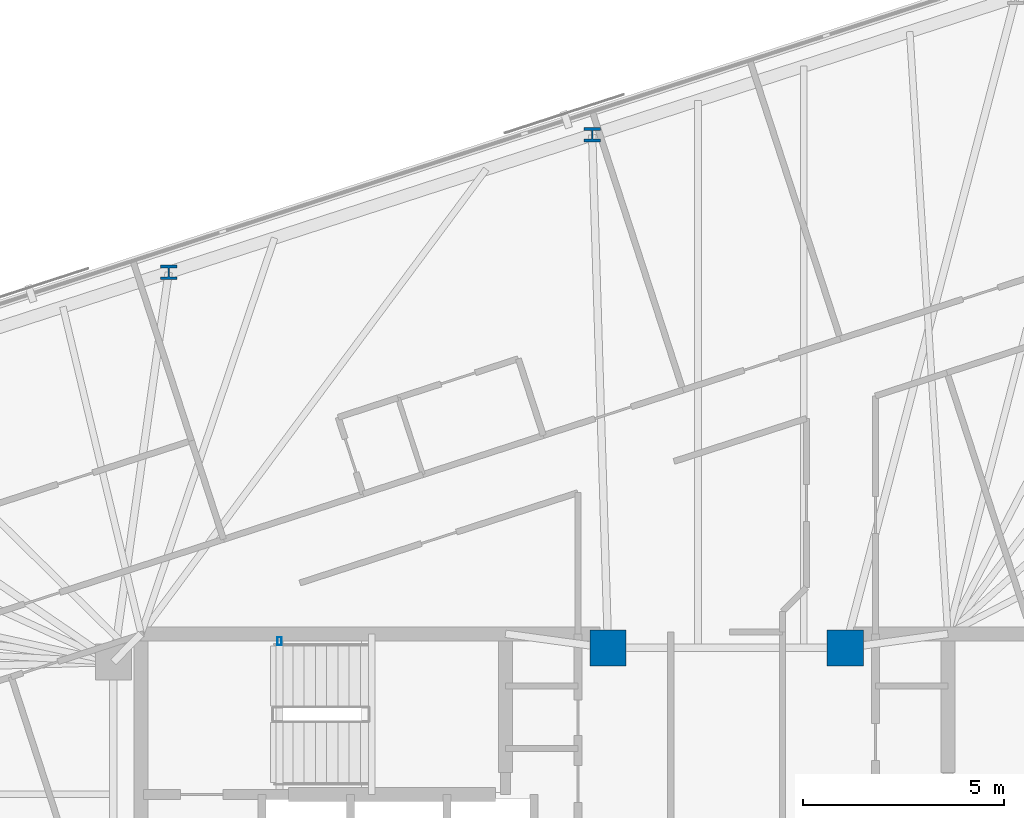
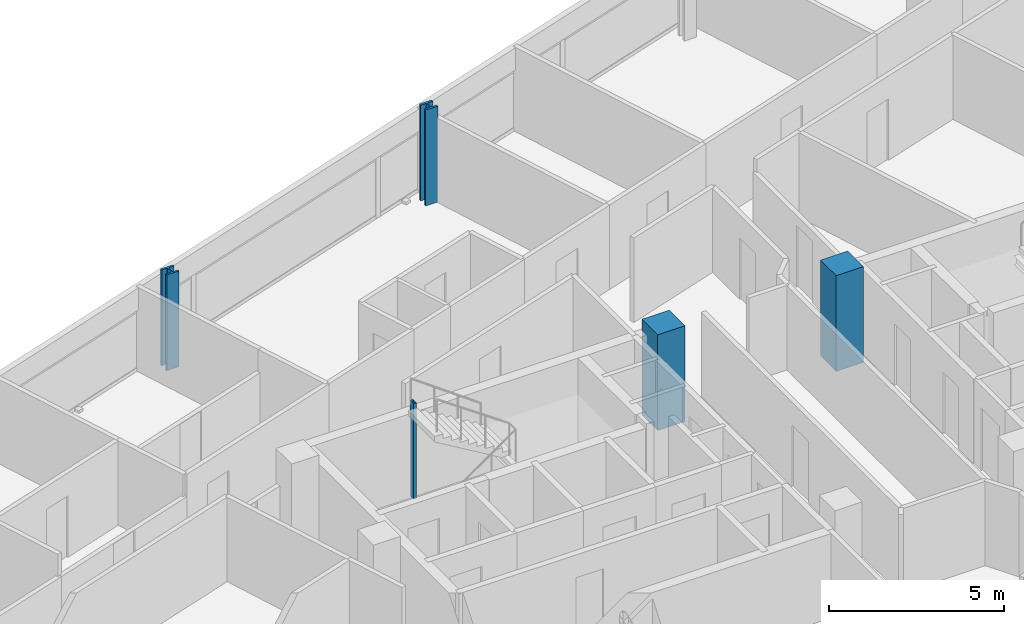
# One storey, part 2 of 19: 5 columns.
"""IFC4 building model written with IfcOpenShell, lengths in metres."""

from ifc_helpers import new_model, si_unit, direction, frame, origin, origin_2d, place, context, subcontext, project, spatial, rectangle, hollow_rectangle, i_section, extrude, material, material_profile, profile_set, type_object, element, save


model = new_model("IFC4")

# Units and contexts
model_context = context("Model", 3, precision=1e-05, world=origin(), true_north=direction((0.0, 1.0)))
body_context = subcontext(model_context, "Body", "Model", "MODEL_VIEW")
ifc_project = project(units=[si_unit("LENGTHUNIT", "METRE"), si_unit("AREAUNIT", "SQUARE_METRE"), si_unit("VOLUMEUNIT", "CUBIC_METRE"), si_unit("PLANEANGLEUNIT", "RADIAN"), si_unit("MASSUNIT", "GRAM", prefix="KILO")], contexts=[model_context])

# Site, building, storey
site_placement = place(None, origin())
site = spatial("IfcSite", under=ifc_project, at=site_placement, CompositionType="ELEMENT")
building_placement = place(site_placement, origin())
building = spatial("IfcBuilding", under=site, at=building_placement, Name="Menara Jurai Vektor", CompositionType="ELEMENT")
storey_placement = place(building_placement, frame((0.0, 0.0, 251.10009765625)))
storey = spatial("IfcBuildingStorey", under=building, at=storey_placement, Name="L67", CompositionType="ELEMENT", Elevation=251.10009765625)

# Columns
ifc_material_1 = material(Name="Concrete C50/60", Category="concrete")
ifc_material_profile_1 = material_profile(ifc_material_1, rectangle(XDim=0.89990234375, YDim=0.89990234375, at=origin_2d()), Name="RC 900x900")
ifc_profile_set_1 = profile_set([ifc_material_profile_1], Name="Concrete C50/60")
column_type_1 = type_object("IfcColumnType", Name="STR-COL-RC900", PredefinedType="COLUMN", material=ifc_profile_set_1)
for number, where, z_axis, x_axis, name in (
    (1, (-2.949951171875, 5.25, 0.0), (0.0, 0.0, 1.0), (1.0, 0.0, 0.0), "Core Spine Column CW-NE L67"),
    (2, (2.949951171875, 5.25, 0.0), (0.0, 0.0, 1.0), (1.0, 0.0, 0.0), "Core Spine Column CE-NW L67"),
):
    element("IfcColumn", number, at=place(storey_placement, frame(where, z_axis=z_axis, x_axis=x_axis)), inside=storey, type_object=column_type_1, Name=name, PredefinedType="COLUMN", context=body_context, shape_type="SweptSolid", body=[
        extrude(rectangle(XDim=0.89990234375, YDim=0.89990234375, at=origin_2d()), origin(), (0.0, 0.0, 1.0), 3.349853515625),
    ])
ifc_material_2 = material(Name="Steel S355", Category="steel")
ifc_material_profile_2 = material_profile(ifc_material_2, hollow_rectangle(XDim=0.10009765625, YDim=0.199951171875, WallThickness=0.008056640625, at=origin_2d()), Name="RHS 200x100x8")
ifc_profile_set_2 = profile_set([ifc_material_profile_2], Name="Steel S355")
column_type_2 = type_object("IfcColumnType", Name="STR-COL-STAIR", PredefinedType="COLUMN", material=ifc_profile_set_2)
column_placement = place(storey_placement, frame((-11.1201171875, 5.419921875, 0.0), z_axis=(0.0, 0.0, 1.0), x_axis=(1.0, 0.0, 0.0)))
element("IfcColumn", 3, at=column_placement, inside=storey, type_object=column_type_2, Name="Stair Well Header Column ST1-P2 L67", PredefinedType="COLUMN", context=body_context, shape_type="SweptSolid", body=[
    extrude(hollow_rectangle(XDim=0.10009765625, YDim=0.199951171875, WallThickness=0.008056640625, at=origin_2d()), origin(), (0.0, 0.0, 1.0), 3.349853515625),
])
ifc_material_3 = material(Name="Steel S460", Category="steel")
ifc_material_profile_3 = material_profile(ifc_material_3, i_section(OverallWidth=0.405029296875, OverallDepth=0.35498046875, WebThickness=0.0419921875, FlangeThickness=0.068115234375, FilletRadius=0.014892578125, at=origin_2d()), Name="HD 400x551")
ifc_profile_set_3 = profile_set([ifc_material_profile_3], Name="Steel S460")
column_type_3 = type_object("IfcColumnType", Name="STR-EXO-BLK4", PredefinedType="COLUMN", material=ifc_profile_set_3)
for number, where, z_axis, x_axis, name in (
    (4, (-3.345703125, 18.008544921875, 0.0), (0.0, 0.0, 1.0), (1.0, 0.0, 0.0), "Exoskeleton Column BLK4-N3 L67"),
    (5, (-13.875, 14.58740234375, 0.0), (0.0, 0.0, 1.0), (1.0, 0.0, 0.0), "Exoskeleton Column BLK4-N4 L67"),
):
    element("IfcColumn", number, at=place(storey_placement, frame(where, z_axis=z_axis, x_axis=x_axis)), inside=storey, type_object=column_type_3, Name=name, PredefinedType="COLUMN", context=body_context, shape_type="SweptSolid", body=[
        extrude(i_section(OverallWidth=0.405029296875, OverallDepth=0.35498046875, WebThickness=0.0419921875, FlangeThickness=0.068115234375, FilletRadius=0.014892578125, at=origin_2d()), origin(), (0.0, 0.0, 1.0), 3.349853515625),
    ])

save(model, "model.ifc")
